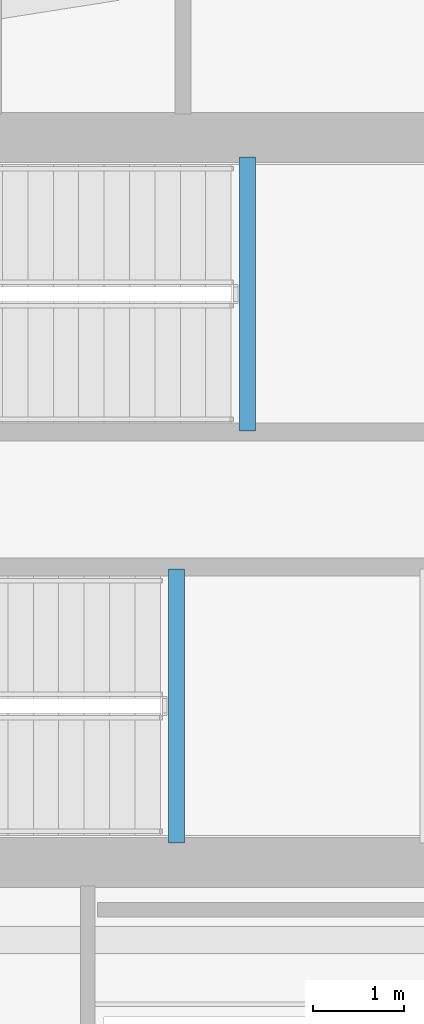
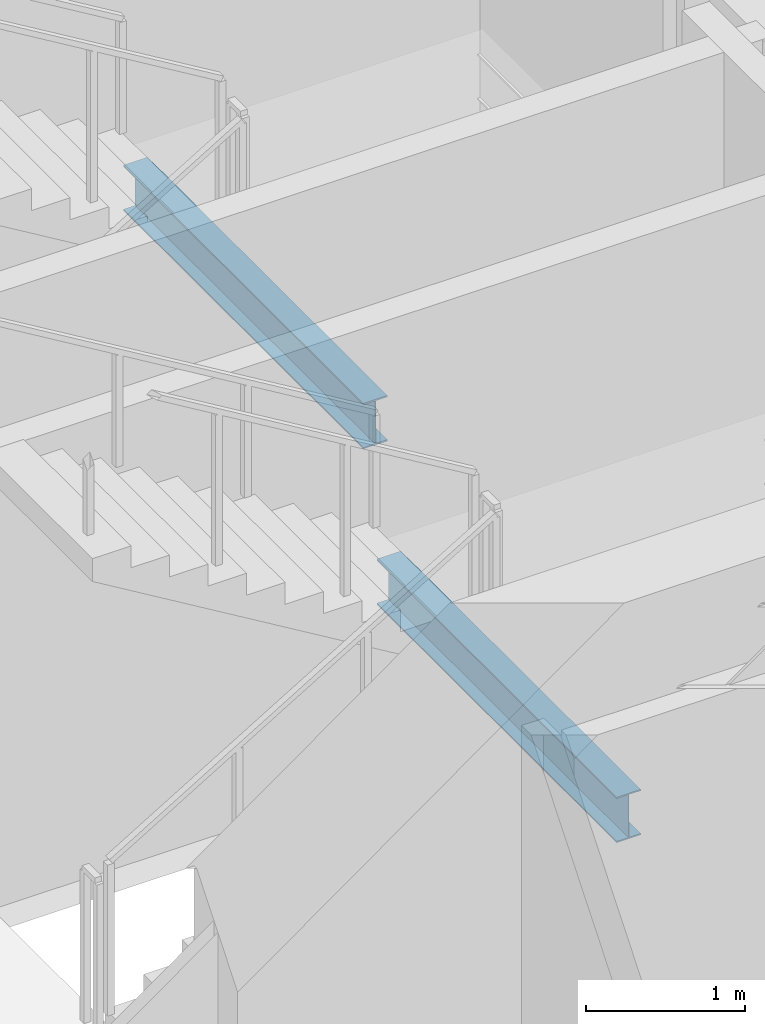
# One storey, part 10 of 21: 2 beams.
"""IFC4 building model written with IfcOpenShell, lengths in metres."""

from ifc_helpers import new_model, si_unit, direction, frame, origin, origin_2d, place, context, subcontext, project, spatial, i_section, extrude, material, material_profile, profile_set, type_object, element, save


model = new_model("IFC4")

# Units and contexts
model_context = context("Model", 3, precision=1e-05, world=origin(), true_north=direction((0.0, 1.0)))
body_context = subcontext(model_context, "Body", "Model", "MODEL_VIEW")
ifc_project = project(units=[si_unit("LENGTHUNIT", "METRE"), si_unit("AREAUNIT", "SQUARE_METRE"), si_unit("VOLUMEUNIT", "CUBIC_METRE"), si_unit("PLANEANGLEUNIT", "RADIAN"), si_unit("MASSUNIT", "GRAM", prefix="KILO")], contexts=[model_context])

# Site, building, storey
site_placement = place(None, origin())
site = spatial("IfcSite", under=ifc_project, at=site_placement, CompositionType="ELEMENT")
building_placement = place(site_placement, origin())
building = spatial("IfcBuilding", under=site, at=building_placement, Name="Qianvela Tower", CompositionType="ELEMENT")
storey_placement = place(building_placement, frame((0.0, 0.0, 166.10009765625)))
storey = spatial("IfcBuildingStorey", under=building, at=storey_placement, Name="L42", CompositionType="ELEMENT", Elevation=166.10009765625)

# Beams
ifc_material = material(Name="Steel Q355B", Category="steel")
ifc_material_profile = material_profile(ifc_material, i_section(OverallWidth=0.175048828125, OverallDepth=0.35009765625, WebThickness=0.007080078125, FlangeThickness=0.010986328125, at=origin_2d()), Name="HN350x175x7x11")
ifc_profile_set = profile_set([ifc_material_profile], Name="Steel Q355B")
beam_type = type_object("IfcBeamType", Name="BM-HN350-JOIST", PredefinedType="JOIST", material=ifc_profile_set)
for number, where, z_axis, x_axis, name in (
    (1, (35.179931640625, 29.4599609375, 1.474853515625), (0.0, 1.0, 0.0), (-1.0, 0.0, 0.0), "L42 Stair ST-1 Landing Support Beam 1.1"),
    (2, (34.39990234375, 24.919921875, 1.474853515625), (0.0, 1.0, 0.0), (-1.0, 0.0, 0.0), "L42 Stair ST-2 Landing Support Beam 1.1"),
):
    element("IfcBeam", number, at=place(storey_placement, frame(where, z_axis=z_axis, x_axis=x_axis)), inside=storey, type_object=beam_type, Name=name, PredefinedType="JOIST", context=body_context, shape_type="SweptSolid", body=[
        extrude(i_section(OverallWidth=0.175048828125, OverallDepth=0.35009765625, WebThickness=0.007080078125, FlangeThickness=0.010986328125, at=origin_2d()), origin(), (0.0, 0.0, 1.0), 3.02001953125),
    ])

save(model, "model.ifc")
